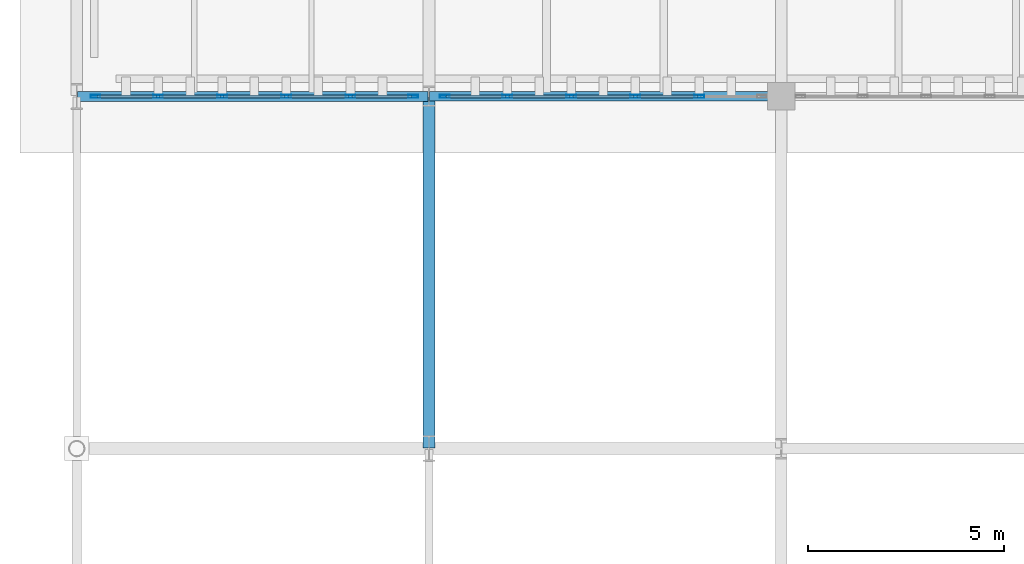
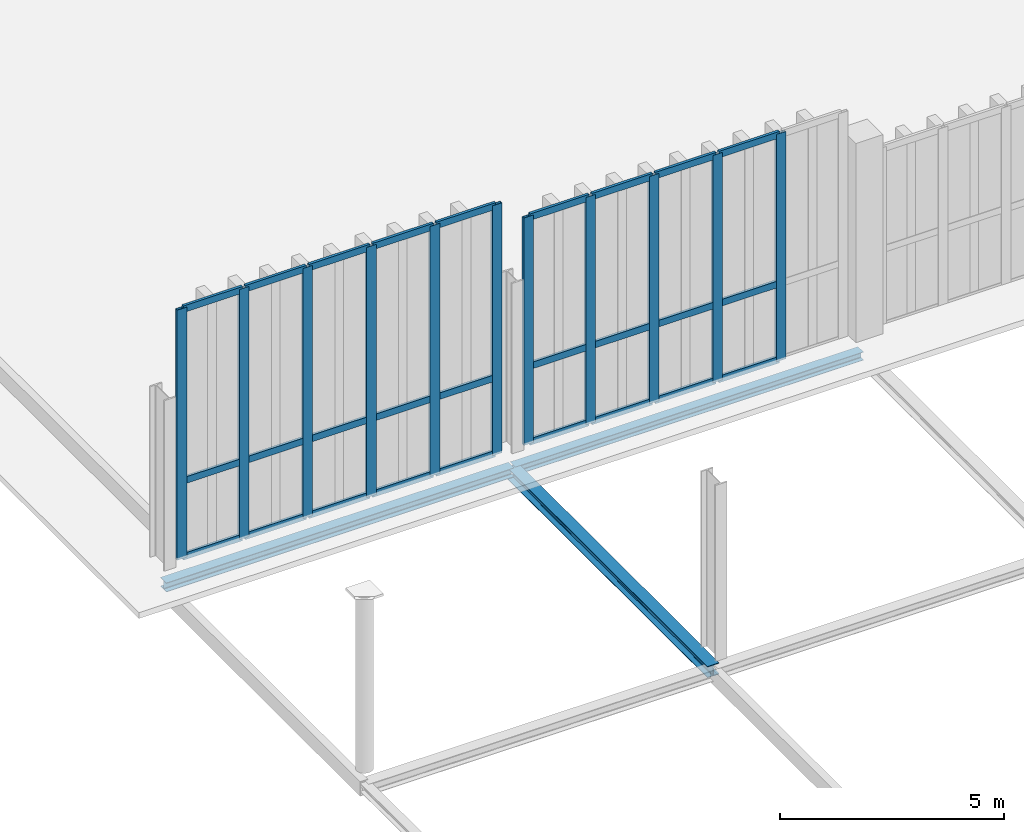
# One storey, part 18 of 196: 38 members, 3 beams, 2 elements without a shape of their own.
"""IFC4 building model written with IfcOpenShell, lengths in metres."""

from ifc_helpers import new_model, si_unit, direction, frame, origin, origin_2d, place, context, subcontext, project, spatial, hollow_rectangle, i_section, extrude, material, layer, layer_set, material_profile, profile_set, type_object, element, aggregate, save


model = new_model("IFC4")

# Units and contexts
model_context = context("Model", 3, precision=1e-05, world=origin(), true_north=direction((0.0, 1.0)))
body_context = subcontext(model_context, "Body", "Model", "MODEL_VIEW")
ifc_project = project(units=[si_unit("LENGTHUNIT", "METRE"), si_unit("AREAUNIT", "SQUARE_METRE"), si_unit("VOLUMEUNIT", "CUBIC_METRE"), si_unit("PLANEANGLEUNIT", "RADIAN"), si_unit("MASSUNIT", "GRAM", prefix="KILO")], contexts=[model_context])

# Site, building, storey
site_placement = place(None, origin())
site = spatial("IfcSite", under=ifc_project, at=site_placement, CompositionType="ELEMENT")
building_placement = place(site_placement, origin())
building = spatial("IfcBuilding", under=site, at=building_placement, Name="Barlavento Convention Centre", CompositionType="ELEMENT")
storey_placement = place(building_placement, frame((0.0, 0.0, 18.0)))
storey = spatial("IfcBuildingStorey", under=building, at=storey_placement, Name="L03", CompositionType="ELEMENT", Elevation=18.0)

# Curtain wall, members
ifc_material_1 = material(Name="Powder-coated aluminium and Low-E glass", Category="aluminium")
ifc_layer = layer(ifc_material_1, 0.18994140625)
ifc_layer_set = layer_set([ifc_layer], Name="ARC-CW-CONG-L02")
curtain_wall_type = type_object("IfcCurtainWallType", Name="ARC-CW-CONG-L02", PredefinedType="NOTDEFINED", material=ifc_layer_set)
curtain_wall_1_placement = place(storey_placement, origin())
curtain_wall_1 = element("IfcCurtainWall", 1, at=curtain_wall_1_placement, inside=storey, type_object=curtain_wall_type, Name="L03 unitised curtain wall CW02", PredefinedType="NOTDEFINED")
ifc_material_2 = material(Name="Powder-coated aluminium", Category="aluminium")
ifc_material_profile_1 = material_profile(ifc_material_2, hollow_rectangle(XDim=0.074951171875, YDim=0.25, WallThickness=0.006103515625, at=origin_2d()), Name="AL-MULL 75x250x6")
ifc_profile_set_1 = profile_set([ifc_material_profile_1], Name="Powder-coated aluminium")
member_type_1 = type_object("IfcMemberType", Name="ARC-CWM-75X250", PredefinedType="MULLION", material=ifc_profile_set_1)
member_1_placement = place(storey_placement, frame((0.4765625, 54.0, 0.10009765625), z_axis=(0.0, 0.0, 1.0), x_axis=(0.0, 1.0, 0.0)))
member_1 = element("IfcMember", 2, at=member_1_placement, type_object=member_type_1, Name="CW02 mullion 1", PredefinedType="MULLION", context=body_context, shape_type="SweptSolid", body=[
    extrude(hollow_rectangle(XDim=0.074951171875, YDim=0.25, WallThickness=0.006103515625, at=origin_2d()), origin(), (0.0, 0.0, 1.0), 6.810791015625),
])
member_2_placement = place(storey_placement, frame((2.077880859375, 54.0, 0.10009765625), z_axis=(0.0, 0.0, 1.0), x_axis=(0.0, 1.0, 0.0)))
member_2 = element("IfcMember", 3, at=member_2_placement, type_object=member_type_1, Name="CW02 mullion 2", PredefinedType="MULLION", context=body_context, shape_type="SweptSolid", body=[
    extrude(hollow_rectangle(XDim=0.074951171875, YDim=0.25, WallThickness=0.006103515625, at=origin_2d()), origin(), (0.0, 0.0, 1.0), 6.810791015625),
])
member_3_placement = place(storey_placement, frame((3.716552734375, 54.0, 0.10009765625), z_axis=(0.0, 0.0, 1.0), x_axis=(0.0, 1.0, 0.0)))
member_3 = element("IfcMember", 4, at=member_3_placement, type_object=member_type_1, Name="CW02 mullion 3", PredefinedType="MULLION", context=body_context, shape_type="SweptSolid", body=[
    extrude(hollow_rectangle(XDim=0.074951171875, YDim=0.25, WallThickness=0.006103515625, at=origin_2d()), origin(), (0.0, 0.0, 1.0), 6.810791015625),
])
member_4_placement = place(storey_placement, frame((5.35546875, 54.0, 0.10009765625), z_axis=(0.0, 0.0, 1.0), x_axis=(0.0, 1.0, 0.0)))
member_4 = element("IfcMember", 5, at=member_4_placement, type_object=member_type_1, Name="CW02 mullion 4", PredefinedType="MULLION", context=body_context, shape_type="SweptSolid", body=[
    extrude(hollow_rectangle(XDim=0.074951171875, YDim=0.25, WallThickness=0.006103515625, at=origin_2d()), origin(), (0.0, 0.0, 1.0), 6.810791015625),
])
member_5_placement = place(storey_placement, frame((6.994140625, 54.0, 0.10009765625), z_axis=(0.0, 0.0, 1.0), x_axis=(0.0, 1.0, 0.0)))
member_5 = element("IfcMember", 6, at=member_5_placement, type_object=member_type_1, Name="CW02 mullion 5", PredefinedType="MULLION", context=body_context, shape_type="SweptSolid", body=[
    extrude(hollow_rectangle(XDim=0.074951171875, YDim=0.25, WallThickness=0.006103515625, at=origin_2d()), origin(), (0.0, 0.0, 1.0), 6.810791015625),
])
member_6_placement = place(storey_placement, frame((8.595458984375, 54.0, 0.10009765625), z_axis=(0.0, 0.0, 1.0), x_axis=(0.0, 1.0, 0.0)))
member_6 = element("IfcMember", 7, at=member_6_placement, type_object=member_type_1, Name="CW02 mullion 6", PredefinedType="MULLION", context=body_context, shape_type="SweptSolid", body=[
    extrude(hollow_rectangle(XDim=0.074951171875, YDim=0.25, WallThickness=0.006103515625, at=origin_2d()), origin(), (0.0, 0.0, 1.0), 6.810791015625),
])

curtain_wall_2_placement = place(storey_placement, origin())
curtain_wall_2 = element("IfcCurtainWall", 8, at=curtain_wall_2_placement, inside=storey, type_object=curtain_wall_type, Name="L03 unitised curtain wall CW02", PredefinedType="NOTDEFINED")
member_7_placement = place(storey_placement, frame((9.404541015625, 54.0, 0.10009765625), z_axis=(0.0, 0.0, 1.0), x_axis=(0.0, 1.0, 0.0)))
member_7 = element("IfcMember", 9, at=member_7_placement, type_object=member_type_1, Name="CW02 mullion 1", PredefinedType="MULLION", context=body_context, shape_type="SweptSolid", body=[
    extrude(hollow_rectangle(XDim=0.074951171875, YDim=0.25, WallThickness=0.006103515625, at=origin_2d()), origin(), (0.0, 0.0, 1.0), 6.19287109375),
])
member_8_placement = place(storey_placement, frame((11.002685546875, 54.0, 0.10009765625), z_axis=(0.0, 0.0, 1.0), x_axis=(0.0, 1.0, 0.0)))
member_8 = element("IfcMember", 10, at=member_8_placement, type_object=member_type_1, Name="CW02 mullion 2", PredefinedType="MULLION", context=body_context, shape_type="SweptSolid", body=[
    extrude(hollow_rectangle(XDim=0.074951171875, YDim=0.25, WallThickness=0.006103515625, at=origin_2d()), origin(), (0.0, 0.0, 1.0), 6.19287109375),
])
member_9_placement = place(storey_placement, frame((12.63818359375, 54.0, 0.10009765625), z_axis=(0.0, 0.0, 1.0), x_axis=(0.0, 1.0, 0.0)))
member_9 = element("IfcMember", 11, at=member_9_placement, type_object=member_type_1, Name="CW02 mullion 3", PredefinedType="MULLION", context=body_context, shape_type="SweptSolid", body=[
    extrude(hollow_rectangle(XDim=0.074951171875, YDim=0.25, WallThickness=0.006103515625, at=origin_2d()), origin(), (0.0, 0.0, 1.0), 6.19287109375),
])
member_10_placement = place(storey_placement, frame((14.273681640625, 54.0, 0.10009765625), z_axis=(0.0, 0.0, 1.0), x_axis=(0.0, 1.0, 0.0)))
member_10 = element("IfcMember", 12, at=member_10_placement, type_object=member_type_1, Name="CW02 mullion 4", PredefinedType="MULLION", context=body_context, shape_type="SweptSolid", body=[
    extrude(hollow_rectangle(XDim=0.074951171875, YDim=0.25, WallThickness=0.006103515625, at=origin_2d()), origin(), (0.0, 0.0, 1.0), 6.19287109375),
])
member_11_placement = place(storey_placement, frame((15.909423828125, 54.0, 0.10009765625), z_axis=(0.0, 0.0, 1.0), x_axis=(0.0, 1.0, 0.0)))
member_11 = element("IfcMember", 13, at=member_11_placement, type_object=member_type_1, Name="CW02 mullion 5", PredefinedType="MULLION", context=body_context, shape_type="SweptSolid", body=[
    extrude(hollow_rectangle(XDim=0.074951171875, YDim=0.25, WallThickness=0.006103515625, at=origin_2d()), origin(), (0.0, 0.0, 1.0), 6.19287109375),
])

# Member
ifc_material_profile_2 = material_profile(ifc_material_2, hollow_rectangle(XDim=0.070068359375, YDim=0.179931640625, WallThickness=0.0048828125, at=origin_2d()), Name="AL-TRAN 70x180x5")
ifc_profile_set_2 = profile_set([ifc_material_profile_2], Name="Powder-coated aluminium")
member_type_2 = type_object("IfcMemberType", Name="ARC-CWT-70X180", PredefinedType="USERDEFINED", material=ifc_profile_set_2)
member_12_placement = place(storey_placement, frame((0.513916015625, 54.0, 0.135009765625), z_axis=(1.0, 0.0, 0.0), x_axis=(0.0, 1.0, 0.0)))
member_12 = element("IfcMember", 14, at=member_12_placement, type_object=member_type_2, Name="CW02 transom 1.1", ObjectType="TRANSOM", PredefinedType="USERDEFINED", context=body_context, shape_type="SweptSolid", body=[
    extrude(hollow_rectangle(XDim=0.070068359375, YDim=0.179931640625, WallThickness=0.0048828125, at=origin_2d()), origin(), (0.0, 0.0, 1.0), 1.5263671875),
])

member_13_placement = place(storey_placement, frame((0.513916015625, 54.0, 2.199951171875), z_axis=(1.0, 0.0, 0.0), x_axis=(0.0, 1.0, 0.0)))
member_13 = element("IfcMember", 15, at=member_13_placement, type_object=member_type_2, Name="CW02 transom 1.2", ObjectType="TRANSOM", PredefinedType="USERDEFINED", context=body_context, shape_type="SweptSolid", body=[
    extrude(hollow_rectangle(XDim=0.070068359375, YDim=0.179931640625, WallThickness=0.0048828125, at=origin_2d()), origin(), (0.0, 0.0, 1.0), 1.5263671875),
])

member_14_placement = place(storey_placement, frame((0.513916015625, 54.0, 6.8759765625), z_axis=(1.0, 0.0, 0.0), x_axis=(0.0, 1.0, 0.0)))
member_14 = element("IfcMember", 16, at=member_14_placement, type_object=member_type_2, Name="CW02 transom 1.3", ObjectType="TRANSOM", PredefinedType="USERDEFINED", context=body_context, shape_type="SweptSolid", body=[
    extrude(hollow_rectangle(XDim=0.070068359375, YDim=0.179931640625, WallThickness=0.0048828125, at=origin_2d()), origin(), (0.0, 0.0, 1.0), 1.5263671875),
])

member_15_placement = place(storey_placement, frame((2.115234375, 54.0, 0.135009765625), z_axis=(1.0, 0.0, 0.0), x_axis=(0.0, 1.0, 0.0)))
member_15 = element("IfcMember", 17, at=member_15_placement, type_object=member_type_2, Name="CW02 transom 2.1", ObjectType="TRANSOM", PredefinedType="USERDEFINED", context=body_context, shape_type="SweptSolid", body=[
    extrude(hollow_rectangle(XDim=0.070068359375, YDim=0.179931640625, WallThickness=0.0048828125, at=origin_2d()), origin(), (0.0, 0.0, 1.0), 1.56396484375),
])

member_16_placement = place(storey_placement, frame((2.115234375, 54.0, 2.199951171875), z_axis=(1.0, 0.0, 0.0), x_axis=(0.0, 1.0, 0.0)))
member_16 = element("IfcMember", 18, at=member_16_placement, type_object=member_type_2, Name="CW02 transom 2.2", ObjectType="TRANSOM", PredefinedType="USERDEFINED", context=body_context, shape_type="SweptSolid", body=[
    extrude(hollow_rectangle(XDim=0.070068359375, YDim=0.179931640625, WallThickness=0.0048828125, at=origin_2d()), origin(), (0.0, 0.0, 1.0), 1.56396484375),
])

member_17_placement = place(storey_placement, frame((2.115234375, 54.0, 6.8759765625), z_axis=(1.0, 0.0, 0.0), x_axis=(0.0, 1.0, 0.0)))
member_17 = element("IfcMember", 19, at=member_17_placement, type_object=member_type_2, Name="CW02 transom 2.3", ObjectType="TRANSOM", PredefinedType="USERDEFINED", context=body_context, shape_type="SweptSolid", body=[
    extrude(hollow_rectangle(XDim=0.070068359375, YDim=0.179931640625, WallThickness=0.0048828125, at=origin_2d()), origin(), (0.0, 0.0, 1.0), 1.56396484375),
])

member_18_placement = place(storey_placement, frame((3.754150390625, 54.0, 0.135009765625), z_axis=(1.0, 0.0, 0.0), x_axis=(0.0, 1.0, 0.0)))
member_18 = element("IfcMember", 20, at=member_18_placement, type_object=member_type_2, Name="CW02 transom 3.1", ObjectType="TRANSOM", PredefinedType="USERDEFINED", context=body_context, shape_type="SweptSolid", body=[
    extrude(hollow_rectangle(XDim=0.070068359375, YDim=0.179931640625, WallThickness=0.0048828125, at=origin_2d()), origin(), (0.0, 0.0, 1.0), 1.563720703125),
])

member_19_placement = place(storey_placement, frame((3.754150390625, 54.0, 2.199951171875), z_axis=(1.0, 0.0, 0.0), x_axis=(0.0, 1.0, 0.0)))
member_19 = element("IfcMember", 21, at=member_19_placement, type_object=member_type_2, Name="CW02 transom 3.2", ObjectType="TRANSOM", PredefinedType="USERDEFINED", context=body_context, shape_type="SweptSolid", body=[
    extrude(hollow_rectangle(XDim=0.070068359375, YDim=0.179931640625, WallThickness=0.0048828125, at=origin_2d()), origin(), (0.0, 0.0, 1.0), 1.563720703125),
])

member_20_placement = place(storey_placement, frame((3.754150390625, 54.0, 6.8759765625), z_axis=(1.0, 0.0, 0.0), x_axis=(0.0, 1.0, 0.0)))
member_20 = element("IfcMember", 22, at=member_20_placement, type_object=member_type_2, Name="CW02 transom 3.3", ObjectType="TRANSOM", PredefinedType="USERDEFINED", context=body_context, shape_type="SweptSolid", body=[
    extrude(hollow_rectangle(XDim=0.070068359375, YDim=0.179931640625, WallThickness=0.0048828125, at=origin_2d()), origin(), (0.0, 0.0, 1.0), 1.563720703125),
])

member_21_placement = place(storey_placement, frame((5.392822265625, 54.0, 0.135009765625), z_axis=(1.0, 0.0, 0.0), x_axis=(0.0, 1.0, 0.0)))
member_21 = element("IfcMember", 23, at=member_21_placement, type_object=member_type_2, Name="CW02 transom 4.1", ObjectType="TRANSOM", PredefinedType="USERDEFINED", context=body_context, shape_type="SweptSolid", body=[
    extrude(hollow_rectangle(XDim=0.070068359375, YDim=0.179931640625, WallThickness=0.0048828125, at=origin_2d()), origin(), (0.0, 0.0, 1.0), 1.56396484375),
])

member_22_placement = place(storey_placement, frame((5.392822265625, 54.0, 2.199951171875), z_axis=(1.0, 0.0, 0.0), x_axis=(0.0, 1.0, 0.0)))
member_22 = element("IfcMember", 24, at=member_22_placement, type_object=member_type_2, Name="CW02 transom 4.2", ObjectType="TRANSOM", PredefinedType="USERDEFINED", context=body_context, shape_type="SweptSolid", body=[
    extrude(hollow_rectangle(XDim=0.070068359375, YDim=0.179931640625, WallThickness=0.0048828125, at=origin_2d()), origin(), (0.0, 0.0, 1.0), 1.56396484375),
])

member_23_placement = place(storey_placement, frame((5.392822265625, 54.0, 6.8759765625), z_axis=(1.0, 0.0, 0.0), x_axis=(0.0, 1.0, 0.0)))
member_23 = element("IfcMember", 25, at=member_23_placement, type_object=member_type_2, Name="CW02 transom 4.3", ObjectType="TRANSOM", PredefinedType="USERDEFINED", context=body_context, shape_type="SweptSolid", body=[
    extrude(hollow_rectangle(XDim=0.070068359375, YDim=0.179931640625, WallThickness=0.0048828125, at=origin_2d()), origin(), (0.0, 0.0, 1.0), 1.56396484375),
])

member_24_placement = place(storey_placement, frame((7.03173828125, 54.0, 0.135009765625), z_axis=(1.0, 0.0, 0.0), x_axis=(0.0, 1.0, 0.0)))
member_24 = element("IfcMember", 26, at=member_24_placement, type_object=member_type_2, Name="CW02 transom 5.1", ObjectType="TRANSOM", PredefinedType="USERDEFINED", context=body_context, shape_type="SweptSolid", body=[
    extrude(hollow_rectangle(XDim=0.070068359375, YDim=0.179931640625, WallThickness=0.0048828125, at=origin_2d()), origin(), (0.0, 0.0, 1.0), 1.5263671875),
])

member_25_placement = place(storey_placement, frame((7.03173828125, 54.0, 2.199951171875), z_axis=(1.0, 0.0, 0.0), x_axis=(0.0, 1.0, 0.0)))
member_25 = element("IfcMember", 27, at=member_25_placement, type_object=member_type_2, Name="CW02 transom 5.2", ObjectType="TRANSOM", PredefinedType="USERDEFINED", context=body_context, shape_type="SweptSolid", body=[
    extrude(hollow_rectangle(XDim=0.070068359375, YDim=0.179931640625, WallThickness=0.0048828125, at=origin_2d()), origin(), (0.0, 0.0, 1.0), 1.5263671875),
])

member_26_placement = place(storey_placement, frame((7.03173828125, 54.0, 6.8759765625), z_axis=(1.0, 0.0, 0.0), x_axis=(0.0, 1.0, 0.0)))
member_26 = element("IfcMember", 28, at=member_26_placement, type_object=member_type_2, Name="CW02 transom 5.3", ObjectType="TRANSOM", PredefinedType="USERDEFINED", context=body_context, shape_type="SweptSolid", body=[
    extrude(hollow_rectangle(XDim=0.070068359375, YDim=0.179931640625, WallThickness=0.0048828125, at=origin_2d()), origin(), (0.0, 0.0, 1.0), 1.5263671875),
])

aggregate(curtain_wall_1, [member_1, member_2, member_3, member_4, member_5, member_6, member_12, member_13, member_14, member_15, member_16, member_17, member_18, member_19, member_20, member_21, member_22, member_23, member_24, member_25, member_26])

member_27_placement = place(storey_placement, frame((9.44189453125, 54.0, 0.135009765625), z_axis=(1.0, 0.0, 0.0), x_axis=(0.0, 1.0, 0.0)))
member_27 = element("IfcMember", 29, at=member_27_placement, type_object=member_type_2, Name="CW02 transom 1.1", ObjectType="TRANSOM", PredefinedType="USERDEFINED", context=body_context, shape_type="SweptSolid", body=[
    extrude(hollow_rectangle(XDim=0.070068359375, YDim=0.179931640625, WallThickness=0.0048828125, at=origin_2d()), origin(), (0.0, 0.0, 1.0), 1.523193359375),
])

member_28_placement = place(storey_placement, frame((9.44189453125, 54.0, 2.199951171875), z_axis=(1.0, 0.0, 0.0), x_axis=(0.0, 1.0, 0.0)))
member_28 = element("IfcMember", 30, at=member_28_placement, type_object=member_type_2, Name="CW02 transom 1.2", ObjectType="TRANSOM", PredefinedType="USERDEFINED", context=body_context, shape_type="SweptSolid", body=[
    extrude(hollow_rectangle(XDim=0.070068359375, YDim=0.179931640625, WallThickness=0.0048828125, at=origin_2d()), origin(), (0.0, 0.0, 1.0), 1.523193359375),
])

member_29_placement = place(storey_placement, frame((9.44189453125, 54.0, 6.258056640625), z_axis=(1.0, 0.0, 0.0), x_axis=(0.0, 1.0, 0.0)))
member_29 = element("IfcMember", 31, at=member_29_placement, type_object=member_type_2, Name="CW02 transom 1.3", ObjectType="TRANSOM", PredefinedType="USERDEFINED", context=body_context, shape_type="SweptSolid", body=[
    extrude(hollow_rectangle(XDim=0.070068359375, YDim=0.179931640625, WallThickness=0.0048828125, at=origin_2d()), origin(), (0.0, 0.0, 1.0), 1.523193359375),
])

member_30_placement = place(storey_placement, frame((11.0400390625, 54.0, 0.135009765625), z_axis=(1.0, 0.0, 0.0), x_axis=(0.0, 1.0, 0.0)))
member_30 = element("IfcMember", 32, at=member_30_placement, type_object=member_type_2, Name="CW02 transom 2.1", ObjectType="TRANSOM", PredefinedType="USERDEFINED", context=body_context, shape_type="SweptSolid", body=[
    extrude(hollow_rectangle(XDim=0.070068359375, YDim=0.179931640625, WallThickness=0.0048828125, at=origin_2d()), origin(), (0.0, 0.0, 1.0), 1.560546875),
])

member_31_placement = place(storey_placement, frame((11.0400390625, 54.0, 2.199951171875), z_axis=(1.0, 0.0, 0.0), x_axis=(0.0, 1.0, 0.0)))
member_31 = element("IfcMember", 33, at=member_31_placement, type_object=member_type_2, Name="CW02 transom 2.2", ObjectType="TRANSOM", PredefinedType="USERDEFINED", context=body_context, shape_type="SweptSolid", body=[
    extrude(hollow_rectangle(XDim=0.070068359375, YDim=0.179931640625, WallThickness=0.0048828125, at=origin_2d()), origin(), (0.0, 0.0, 1.0), 1.560546875),
])

member_32_placement = place(storey_placement, frame((11.0400390625, 54.0, 6.258056640625), z_axis=(1.0, 0.0, 0.0), x_axis=(0.0, 1.0, 0.0)))
member_32 = element("IfcMember", 34, at=member_32_placement, type_object=member_type_2, Name="CW02 transom 2.3", ObjectType="TRANSOM", PredefinedType="USERDEFINED", context=body_context, shape_type="SweptSolid", body=[
    extrude(hollow_rectangle(XDim=0.070068359375, YDim=0.179931640625, WallThickness=0.0048828125, at=origin_2d()), origin(), (0.0, 0.0, 1.0), 1.560546875),
])

member_33_placement = place(storey_placement, frame((12.67578125, 54.0, 0.135009765625), z_axis=(1.0, 0.0, 0.0), x_axis=(0.0, 1.0, 0.0)))
member_33 = element("IfcMember", 35, at=member_33_placement, type_object=member_type_2, Name="CW02 transom 3.1", ObjectType="TRANSOM", PredefinedType="USERDEFINED", context=body_context, shape_type="SweptSolid", body=[
    extrude(hollow_rectangle(XDim=0.070068359375, YDim=0.179931640625, WallThickness=0.0048828125, at=origin_2d()), origin(), (0.0, 0.0, 1.0), 1.560546875),
])

member_34_placement = place(storey_placement, frame((12.67578125, 54.0, 2.199951171875), z_axis=(1.0, 0.0, 0.0), x_axis=(0.0, 1.0, 0.0)))
member_34 = element("IfcMember", 36, at=member_34_placement, type_object=member_type_2, Name="CW02 transom 3.2", ObjectType="TRANSOM", PredefinedType="USERDEFINED", context=body_context, shape_type="SweptSolid", body=[
    extrude(hollow_rectangle(XDim=0.070068359375, YDim=0.179931640625, WallThickness=0.0048828125, at=origin_2d()), origin(), (0.0, 0.0, 1.0), 1.560546875),
])

member_35_placement = place(storey_placement, frame((12.67578125, 54.0, 6.258056640625), z_axis=(1.0, 0.0, 0.0), x_axis=(0.0, 1.0, 0.0)))
member_35 = element("IfcMember", 37, at=member_35_placement, type_object=member_type_2, Name="CW02 transom 3.3", ObjectType="TRANSOM", PredefinedType="USERDEFINED", context=body_context, shape_type="SweptSolid", body=[
    extrude(hollow_rectangle(XDim=0.070068359375, YDim=0.179931640625, WallThickness=0.0048828125, at=origin_2d()), origin(), (0.0, 0.0, 1.0), 1.560546875),
])

member_36_placement = place(storey_placement, frame((14.311279296875, 54.0, 0.135009765625), z_axis=(1.0, 0.0, 0.0), x_axis=(0.0, 1.0, 0.0)))
member_36 = element("IfcMember", 38, at=member_36_placement, type_object=member_type_2, Name="CW02 transom 4.1", ObjectType="TRANSOM", PredefinedType="USERDEFINED", context=body_context, shape_type="SweptSolid", body=[
    extrude(hollow_rectangle(XDim=0.070068359375, YDim=0.179931640625, WallThickness=0.0048828125, at=origin_2d()), origin(), (0.0, 0.0, 1.0), 1.560546875),
])

member_37_placement = place(storey_placement, frame((14.311279296875, 54.0, 2.199951171875), z_axis=(1.0, 0.0, 0.0), x_axis=(0.0, 1.0, 0.0)))
member_37 = element("IfcMember", 39, at=member_37_placement, type_object=member_type_2, Name="CW02 transom 4.2", ObjectType="TRANSOM", PredefinedType="USERDEFINED", context=body_context, shape_type="SweptSolid", body=[
    extrude(hollow_rectangle(XDim=0.070068359375, YDim=0.179931640625, WallThickness=0.0048828125, at=origin_2d()), origin(), (0.0, 0.0, 1.0), 1.560546875),
])

member_38_placement = place(storey_placement, frame((14.311279296875, 54.0, 6.258056640625), z_axis=(1.0, 0.0, 0.0), x_axis=(0.0, 1.0, 0.0)))
member_38 = element("IfcMember", 40, at=member_38_placement, type_object=member_type_2, Name="CW02 transom 4.3", ObjectType="TRANSOM", PredefinedType="USERDEFINED", context=body_context, shape_type="SweptSolid", body=[
    extrude(hollow_rectangle(XDim=0.070068359375, YDim=0.179931640625, WallThickness=0.0048828125, at=origin_2d()), origin(), (0.0, 0.0, 1.0), 1.560546875),
])

aggregate(curtain_wall_2, [member_7, member_8, member_9, member_10, member_11, member_27, member_28, member_29, member_30, member_31, member_32, member_33, member_34, member_35, member_36, member_37, member_38])

# Beams
ifc_material_3 = material(Name="Steel S355", Category="steel")
ifc_material_profile_3 = material_profile(ifc_material_3, i_section(OverallWidth=0.239990234375, OverallDepth=0.22998046875, WebThickness=0.007568359375, FlangeThickness=0.011962890625, FilletRadius=0.02099609375, at=origin_2d()), Name="HEA 240")
ifc_profile_set_3 = profile_set([ifc_material_profile_3], Name="Steel S355")
beam_type_1 = type_object("IfcBeamType", Name="STR-BM-SPN-HEA240", PredefinedType="SPANDREL", material=ifc_profile_set_3)
beam_1_placement = place(storey_placement, frame((9.02001953125, 54.0, -0.4599609375), z_axis=(1.0, 0.0, 0.0), x_axis=(0.0, 1.0, 0.0)))
element("IfcBeam", 41, at=beam_1_placement, inside=storey, type_object=beam_type_1, Name="L03 primary girder SP05", PredefinedType="SPANDREL", context=body_context, shape_type="SweptSolid", body=[
    extrude(i_section(OverallWidth=0.239990234375, OverallDepth=0.22998046875, WebThickness=0.007568359375, FlangeThickness=0.011962890625, FilletRadius=0.02099609375, at=origin_2d()), origin(), (0.0, 0.0, 1.0), 8.9599609375),
])
ifc_material_profile_4 = material_profile(ifc_material_3, i_section(OverallWidth=0.260009765625, OverallDepth=0.25, WebThickness=0.007568359375, FlangeThickness=0.012451171875, FilletRadius=0.02392578125, at=origin_2d()), Name="HEA 260")
ifc_profile_set_4 = profile_set([ifc_material_profile_4], Name="Steel S355")
beam_type_2 = type_object("IfcBeamType", Name="STR-BM-SPN-HEA260", PredefinedType="SPANDREL", material=ifc_profile_set_4)
beam_2_placement = place(storey_placement, frame((0.02001953125, 54.0, -0.469970703125), z_axis=(1.0, 0.0, 0.0), x_axis=(0.0, 1.0, 0.0)))
element("IfcBeam", 42, at=beam_2_placement, inside=storey, type_object=beam_type_2, Name="L03 primary girder SP04", PredefinedType="SPANDREL", context=body_context, shape_type="SweptSolid", body=[
    extrude(i_section(OverallWidth=0.260009765625, OverallDepth=0.25, WebThickness=0.007568359375, FlangeThickness=0.012451171875, FilletRadius=0.02392578125, at=origin_2d()), origin(), (0.0, 0.0, 1.0), 8.9599609375),
])
ifc_material_profile_5 = material_profile(ifc_material_3, i_section(OverallWidth=0.300048828125, OverallDepth=0.31005859375, WebThickness=0.009033203125, FlangeThickness=0.015380859375, FilletRadius=0.027099609375, at=origin_2d()), Name="HEA 320")
ifc_profile_set_5 = profile_set([ifc_material_profile_5], Name="Steel S355")
beam_type_3 = type_object("IfcBeamType", Name="STR-BM-SPN-HEA320", PredefinedType="SPANDREL", material=ifc_profile_set_5)
beam_3_placement = place(storey_placement, frame((9.0, 45.02001953125, -0.5), z_axis=(0.0, 1.0, 0.0), x_axis=(-1.0, 0.0, 0.0)))
element("IfcBeam", 43, at=beam_3_placement, inside=storey, type_object=beam_type_3, Name="L03 grid girder SP01", PredefinedType="SPANDREL", context=body_context, shape_type="SweptSolid", body=[
    extrude(i_section(OverallWidth=0.300048828125, OverallDepth=0.31005859375, WebThickness=0.009033203125, FlangeThickness=0.015380859375, FilletRadius=0.027099609375, at=origin_2d()), origin(), (0.0, 0.0, 1.0), 8.9599609375),
])

save(model, "model.ifc")
